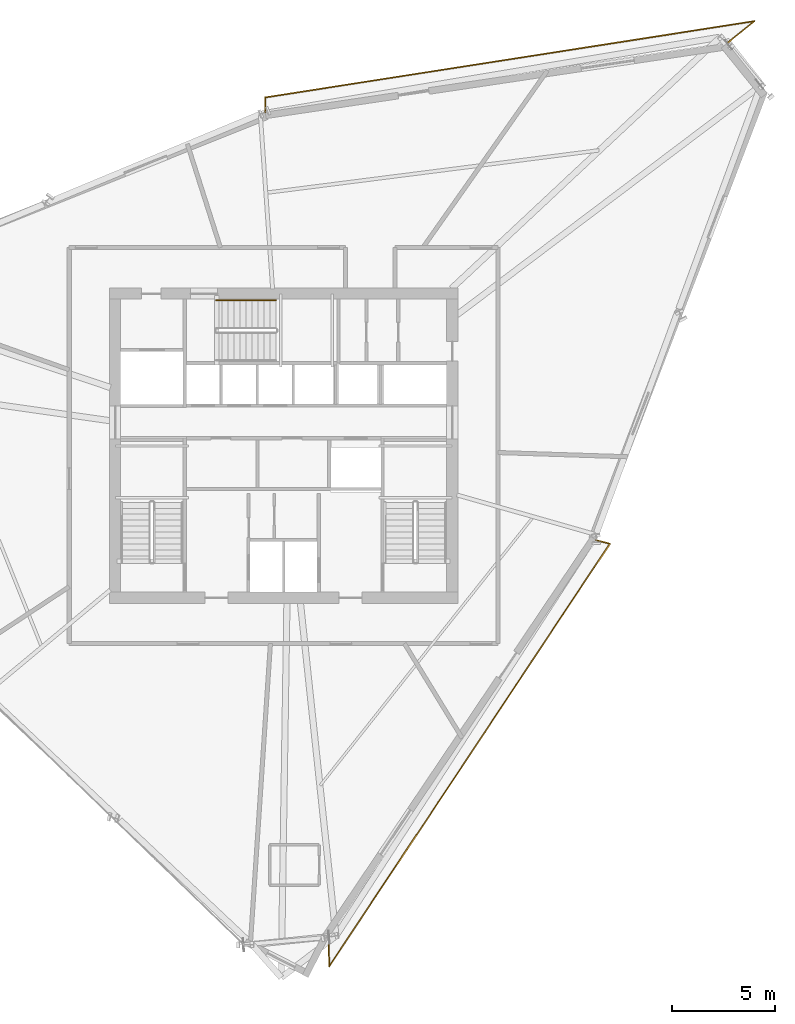
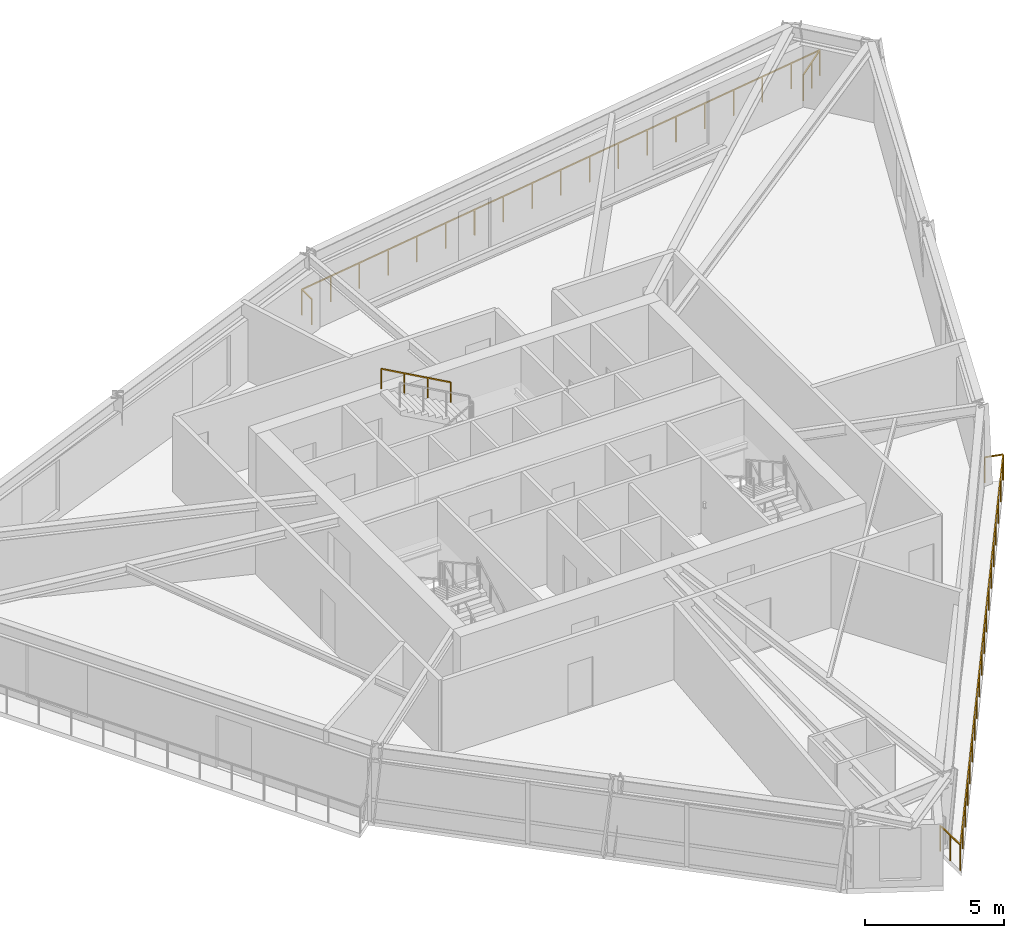
# One storey, part 13 of 13: 3 railings.
"""IFC4 building model written with IfcOpenShell, lengths in metres."""

from ifc_helpers import new_model, si_unit, direction, frame, origin, origin_2d, place, context, subcontext, project, spatial, rectangle, extrude, material, type_object, element, save


model = new_model("IFC4")

# Units and contexts
model_context = context("Model", 3, precision=1e-05, world=origin(), true_north=direction((0.0, 1.0)))
body_context = subcontext(model_context, "Body", "Model", "MODEL_VIEW")
ifc_project = project(units=[si_unit("LENGTHUNIT", "METRE"), si_unit("AREAUNIT", "SQUARE_METRE"), si_unit("VOLUMEUNIT", "CUBIC_METRE"), si_unit("PLANEANGLEUNIT", "RADIAN"), si_unit("MASSUNIT", "GRAM", prefix="KILO")], contexts=[model_context])

# Site, building, storey
site_placement = place(None, origin())
site = spatial("IfcSite", under=ifc_project, at=site_placement, CompositionType="ELEMENT")
building_placement = place(site_placement, origin())
building = spatial("IfcBuilding", under=site, at=building_placement, Name="Olszyna Solenne Hotel", CompositionType="ELEMENT")
storey_placement = place(building_placement, frame((0.0, 0.0, 192.75)))
storey = spatial("IfcBuildingStorey", under=building, at=storey_placement, Name="L51", CompositionType="ELEMENT", Elevation=192.75)

# Railings
ifc_material_1 = material(Name="Anodised bronze aluminium", Category="aluminium")
railing_type_1 = type_object("IfcRailingType", Name="GR-110", PredefinedType="BALUSTRADE", material=ifc_material_1)
railing_1_placement = place(storey_placement, frame((59.515869140625, 46.11767578125, 0.0)))
element("IfcRailing", 1, at=railing_1_placement, inside=storey, type_object=railing_type_1, Name="Loggia balcony balustrade guard GR-L51-LG1", PredefinedType="BALUSTRADE", context=body_context, shape_type="SweptSolid", body=[
    extrude(rectangle(XDim=0.048095703125, YDim=0.048095703125, at=origin_2d()), frame((0.0, 0.0, 1.1259765625), z_axis=(0.775831406588, 0.630940273363, 0.0), x_axis=(-0.630940273363, 0.775831406588, 0.0)), (0.0, 0.0, 1.0), 1.691650390625),
    extrude(rectangle(XDim=0.048095703125, YDim=0.048095703125, at=origin_2d()), frame((1.3125, 1.0673828125, 1.1259765625), z_axis=(-0.988060241684, -0.154068033036, 0.0), x_axis=(0.154068033036, -0.988060241684, 0.0)), (0.0, 0.0, 1.0), 24.018310546875),
    extrude(rectangle(XDim=0.048095703125, YDim=0.048095703125, at=origin_2d()), frame((-22.4189453125, -2.633056640625, 1.1259765625), z_axis=(0.015144562423, -0.999885314538, 0.0), x_axis=(0.999885314538, 0.015144562423, 0.0)), (0.0, 0.0, 1.0), 0.709228515625),
    extrude(rectangle(XDim=0.0419921875, YDim=0.0419921875, at=origin_2d()), origin(), (0.0, 0.0, 1.0), 1.101806640625),
    extrude(rectangle(XDim=0.0419921875, YDim=0.0419921875, at=origin_2d()), frame((0.65625, 0.53369140625, 0.0)), (0.0, 0.0, 1.0), 1.101806640625),
    extrude(rectangle(XDim=0.0419921875, YDim=0.0419921875, at=origin_2d()), frame((1.3125, 1.0673828125, 0.0)), (0.0, 0.0, 1.0), 1.101806640625),
    extrude(rectangle(XDim=0.0419921875, YDim=0.0419921875, at=origin_2d()), frame((-0.005859375, 0.86181640625, 0.0)), (0.0, 0.0, 1.0), 1.101806640625),
    extrude(rectangle(XDim=0.0419921875, YDim=0.0419921875, at=origin_2d()), frame((-1.32421875, 0.65625, 0.0)), (0.0, 0.0, 1.0), 1.101806640625),
    extrude(rectangle(XDim=0.0419921875, YDim=0.0419921875, at=origin_2d()), frame((-2.642822265625, 0.45068359375, 0.0)), (0.0, 0.0, 1.0), 1.101806640625),
    extrude(rectangle(XDim=0.0419921875, YDim=0.0419921875, at=origin_2d()), frame((-3.961181640625, 0.2451171875, 0.0)), (0.0, 0.0, 1.0), 1.101806640625),
    extrude(rectangle(XDim=0.0419921875, YDim=0.0419921875, at=origin_2d()), frame((-5.279541015625, 0.03955078125, 0.0)), (0.0, 0.0, 1.0), 1.101806640625),
    extrude(rectangle(XDim=0.0419921875, YDim=0.0419921875, at=origin_2d()), frame((-6.597900390625, -0.166015625, 0.0)), (0.0, 0.0, 1.0), 1.101806640625),
    extrude(rectangle(XDim=0.0419921875, YDim=0.0419921875, at=origin_2d()), frame((-7.91650390625, -0.37158203125, 0.0)), (0.0, 0.0, 1.0), 1.101806640625),
    extrude(rectangle(XDim=0.0419921875, YDim=0.0419921875, at=origin_2d()), frame((-9.23486328125, -0.5771484375, 0.0)), (0.0, 0.0, 1.0), 1.101806640625),
    extrude(rectangle(XDim=0.0419921875, YDim=0.0419921875, at=origin_2d()), frame((-10.55322265625, -0.78271484375, 0.0)), (0.0, 0.0, 1.0), 1.101806640625),
    extrude(rectangle(XDim=0.0419921875, YDim=0.0419921875, at=origin_2d()), frame((-11.87158203125, -0.988525390625, 0.0)), (0.0, 0.0, 1.0), 1.101806640625),
    extrude(rectangle(XDim=0.0419921875, YDim=0.0419921875, at=origin_2d()), frame((-13.18994140625, -1.194091796875, 0.0)), (0.0, 0.0, 1.0), 1.101806640625),
    extrude(rectangle(XDim=0.0419921875, YDim=0.0419921875, at=origin_2d()), frame((-14.508544921875, -1.399658203125, 0.0)), (0.0, 0.0, 1.0), 1.101806640625),
    extrude(rectangle(XDim=0.0419921875, YDim=0.0419921875, at=origin_2d()), frame((-15.826904296875, -1.605224609375, 0.0)), (0.0, 0.0, 1.0), 1.101806640625),
    extrude(rectangle(XDim=0.0419921875, YDim=0.0419921875, at=origin_2d()), frame((-17.145263671875, -1.810791015625, 0.0)), (0.0, 0.0, 1.0), 1.101806640625),
    extrude(rectangle(XDim=0.0419921875, YDim=0.0419921875, at=origin_2d()), frame((-18.463623046875, -2.016357421875, 0.0)), (0.0, 0.0, 1.0), 1.101806640625),
    extrude(rectangle(XDim=0.0419921875, YDim=0.0419921875, at=origin_2d()), frame((-19.7822265625, -2.221923828125, 0.0)), (0.0, 0.0, 1.0), 1.101806640625),
    extrude(rectangle(XDim=0.0419921875, YDim=0.0419921875, at=origin_2d()), frame((-21.1005859375, -2.427490234375, 0.0)), (0.0, 0.0, 1.0), 1.101806640625),
    extrude(rectangle(XDim=0.0419921875, YDim=0.0419921875, at=origin_2d()), frame((-22.4189453125, -2.633056640625, 0.0)), (0.0, 0.0, 1.0), 1.101806640625),
    extrude(rectangle(XDim=0.0419921875, YDim=0.0419921875, at=origin_2d()), frame((-22.408203125, -3.34228515625, 0.0)), (0.0, 0.0, 1.0), 1.101806640625),
])
railing_2_placement = place(storey_placement, frame((40.186279296875, 2.751220703125, 0.0)))
element("IfcRailing", 2, at=railing_2_placement, inside=storey, type_object=railing_type_1, Name="Loggia balcony balustrade guard GR-L51-LG3", PredefinedType="BALUSTRADE", context=body_context, shape_type="SweptSolid", body=[
    extrude(rectangle(XDim=0.048095703125, YDim=0.048095703125, at=origin_2d()), frame((0.0, 0.0, 1.1259765625), z_axis=(0.014972503925, -0.999887905781, 0.0), x_axis=(0.999887905781, 0.014972503925, 0.0)), (0.0, 0.0, 1.0), 1.418701171875),
    extrude(rectangle(XDim=0.048095703125, YDim=0.048095703125, at=origin_2d()), frame((0.021240234375, -1.41845703125, 1.1259765625), z_axis=(0.553213907009, 0.833039238627, 0.0), x_axis=(-0.833039238627, 0.553213907009, 0.0)), (0.0, 0.0, 1.0), 24.615966796875),
    extrude(rectangle(XDim=0.048095703125, YDim=0.048095703125, at=origin_2d()), frame((13.63916015625, 19.087646484375, 1.1259765625), z_axis=(-0.967069951889, 0.254510723063, 0.0), x_axis=(-0.254510723063, -0.967069951889, 0.0)), (0.0, 0.0, 1.0), 0.689697265625),
    extrude(rectangle(XDim=0.0419921875, YDim=0.0419921875, at=origin_2d()), origin(), (0.0, 0.0, 1.0), 1.101806640625),
    extrude(rectangle(XDim=0.0419921875, YDim=0.0419921875, at=origin_2d()), frame((0.0107421875, -0.709228515625, 0.0)), (0.0, 0.0, 1.0), 1.101806640625),
    extrude(rectangle(XDim=0.0419921875, YDim=0.0419921875, at=origin_2d()), frame((0.021240234375, -1.41845703125, 0.0)), (0.0, 0.0, 1.0), 1.101806640625),
    extrude(rectangle(XDim=0.0419921875, YDim=0.0419921875, at=origin_2d()), frame((0.77783203125, -0.279296875, 0.0)), (0.0, 0.0, 1.0), 1.101806640625),
    extrude(rectangle(XDim=0.0419921875, YDim=0.0419921875, at=origin_2d()), frame((1.534423828125, 0.860107421875, 0.0)), (0.0, 0.0, 1.0), 1.101806640625),
    extrude(rectangle(XDim=0.0419921875, YDim=0.0419921875, at=origin_2d()), frame((2.291015625, 1.999267578125, 0.0)), (0.0, 0.0, 1.0), 1.101806640625),
    extrude(rectangle(XDim=0.0419921875, YDim=0.0419921875, at=origin_2d()), frame((3.04736328125, 3.138427734375, 0.0)), (0.0, 0.0, 1.0), 1.101806640625),
    extrude(rectangle(XDim=0.0419921875, YDim=0.0419921875, at=origin_2d()), frame((3.803955078125, 4.277587890625, 0.0)), (0.0, 0.0, 1.0), 1.101806640625),
    extrude(rectangle(XDim=0.0419921875, YDim=0.0419921875, at=origin_2d()), frame((4.560546875, 5.4169921875, 0.0)), (0.0, 0.0, 1.0), 1.101806640625),
    extrude(rectangle(XDim=0.0419921875, YDim=0.0419921875, at=origin_2d()), frame((5.317138671875, 6.55615234375, 0.0)), (0.0, 0.0, 1.0), 1.101806640625),
    extrude(rectangle(XDim=0.0419921875, YDim=0.0419921875, at=origin_2d()), frame((6.07373046875, 7.6953125, 0.0)), (0.0, 0.0, 1.0), 1.101806640625),
    extrude(rectangle(XDim=0.0419921875, YDim=0.0419921875, at=origin_2d()), frame((6.830078125, 8.83447265625, 0.0)), (0.0, 0.0, 1.0), 1.101806640625),
    extrude(rectangle(XDim=0.0419921875, YDim=0.0419921875, at=origin_2d()), frame((7.586669921875, 9.973876953125, 0.0)), (0.0, 0.0, 1.0), 1.101806640625),
    extrude(rectangle(XDim=0.0419921875, YDim=0.0419921875, at=origin_2d()), frame((8.34326171875, 11.113037109375, 0.0)), (0.0, 0.0, 1.0), 1.101806640625),
    extrude(rectangle(XDim=0.0419921875, YDim=0.0419921875, at=origin_2d()), frame((9.099853515625, 12.252197265625, 0.0)), (0.0, 0.0, 1.0), 1.101806640625),
    extrude(rectangle(XDim=0.0419921875, YDim=0.0419921875, at=origin_2d()), frame((9.8564453125, 13.3916015625, 0.0)), (0.0, 0.0, 1.0), 1.101806640625),
    extrude(rectangle(XDim=0.0419921875, YDim=0.0419921875, at=origin_2d()), frame((10.613037109375, 14.53076171875, 0.0)), (0.0, 0.0, 1.0), 1.101806640625),
    extrude(rectangle(XDim=0.0419921875, YDim=0.0419921875, at=origin_2d()), frame((11.36962890625, 15.669921875, 0.0)), (0.0, 0.0, 1.0), 1.101806640625),
    extrude(rectangle(XDim=0.0419921875, YDim=0.0419921875, at=origin_2d()), frame((12.1259765625, 16.80908203125, 0.0)), (0.0, 0.0, 1.0), 1.101806640625),
    extrude(rectangle(XDim=0.0419921875, YDim=0.0419921875, at=origin_2d()), frame((12.882568359375, 17.948486328125, 0.0)), (0.0, 0.0, 1.0), 1.101806640625),
    extrude(rectangle(XDim=0.0419921875, YDim=0.0419921875, at=origin_2d()), frame((13.63916015625, 19.087646484375, 0.0)), (0.0, 0.0, 1.0), 1.101806640625),
    extrude(rectangle(XDim=0.0419921875, YDim=0.0419921875, at=origin_2d()), frame((12.97216796875, 19.26318359375, 0.0)), (0.0, 0.0, 1.0), 1.101806640625),
])
ifc_material_2 = material(Name="Steel S355J2", Category="steel")
railing_type_2 = type_object("IfcRailingType", Name="HR-090", PredefinedType="HANDRAIL", material=ifc_material_2)
railing_3_placement = place(storey_placement, frame((37.6298828125, 33.64990234375, 1.936279296875)))
element("IfcRailing", 3, at=railing_3_placement, inside=storey, type_object=railing_type_2, Name="L51 ST3 stair handrail 2", PredefinedType="HANDRAIL", context=body_context, shape_type="SweptSolid", body=[
    extrude(rectangle(XDim=0.048095703125, YDim=0.048095703125, at=origin_2d()), frame((0.0, 0.0, 0.8759765625), z_axis=(-0.873810046276, 0.0, 0.486267419253), x_axis=(0.0, -1.0, 0.0)), (0.0, 0.0, 1.0), 3.318603515625),
    extrude(rectangle(XDim=0.0419921875, YDim=0.0419921875, at=origin_2d()), origin(), (0.0, 0.0, 1.0), 0.851806640625),
    extrude(rectangle(XDim=0.0419921875, YDim=0.0419921875, at=origin_2d()), frame((-0.966552734375, 0.0, 0.537841796875)), (0.0, 0.0, 1.0), 0.851806640625),
    extrude(rectangle(XDim=0.0419921875, YDim=0.0419921875, at=origin_2d()), frame((-1.933349609375, 0.0, 1.075927734375)), (0.0, 0.0, 1.0), 0.851806640625),
    extrude(rectangle(XDim=0.0419921875, YDim=0.0419921875, at=origin_2d()), frame((-2.89990234375, 0.0, 1.61376953125)), (0.0, 0.0, 1.0), 0.851806640625),
])

save(model, "model.ifc")
